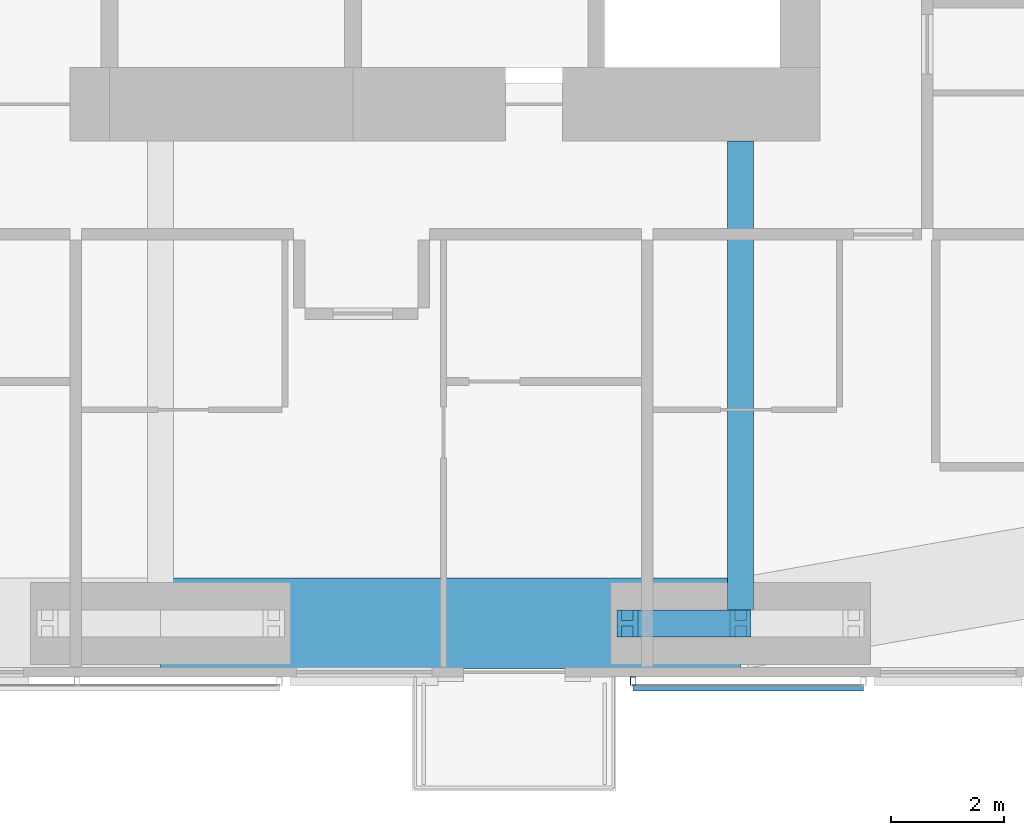
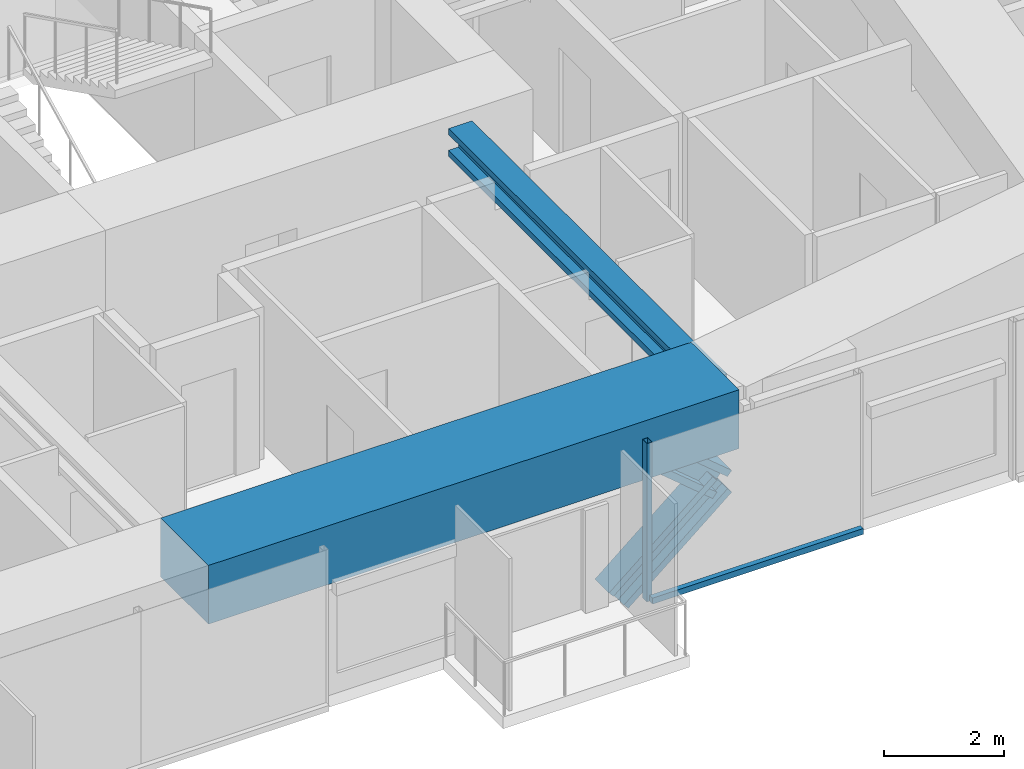
# One storey, part 4 of 22: 4 members, 2 beams, 1 element without a shape of its own.
"""IFC4 building model written with IfcOpenShell, lengths in metres."""

import ifcopenshell
import ifcopenshell.guid

model = None  # the IFC model being written
_history = None  # IfcOwnerHistory: only IFC2X3 demands one
_inside = {}  # id of a spatial element -> (the spatial element, [elements in it])
_under = {}  # id of a project, library or spatial element -> (it, [spatial elements below it])
_declared = {}  # id of a project -> (the project, [libraries it declares])
_typed = {}  # id of a type object -> (the type object, [elements of that type])
_made_of = {}  # id of a material, layer set ... -> (it, [elements and type objects made of it])


def new_model(schema):
    """Start an empty IFC model of exactly this schema.

    Asked for "IFC4X3", IfcOpenShell would pick the latest addendum, in which some entities
    have other attributes; the version numbers below select the first issue.
    IFC2X3 requires an IfcOwnerHistory on every rooted entity: one is made here for all.
    """
    global model, _history
    if schema == "IFC4X3":
        model = ifcopenshell.file(schema_version=(4, 3, 0, 0))
    else:
        model = ifcopenshell.file(schema=schema)
    _inside.clear()
    _under.clear()
    _declared.clear()
    _typed.clear()
    _made_of.clear()
    _history = None
    if model.schema == "IFC2X3":
        org = make("IfcOrganization", Name="unknown")
        user = make(
            "IfcPersonAndOrganization",
            ThePerson=make("IfcPerson", FamilyName="unknown"),
            TheOrganization=org,
        )
        app = make(
            "IfcApplication",
            ApplicationDeveloper=org,
            Version="unknown",
            ApplicationFullName="unknown",
            ApplicationIdentifier="unknown",
        )
        _history = make(
            "IfcOwnerHistory",
            OwningUser=user,
            OwningApplication=app,
            ChangeAction="ADDED",
            CreationDate=0,
        )
    return model


def make(cls, **values):
    """One entity of the class cls with the attributes given. An attribute that is None is left unset."""
    return model.create_entity(
        cls, **{name: value for name, value in values.items() if value is not None}
    )


def rooted(cls, **values):
    """An entity with a GlobalId (a new one), such as an element, a storey or a relation."""
    return make(cls, GlobalId=ifcopenshell.guid.new(), OwnerHistory=_history, **values)


def si_unit(unit_type, name, prefix=None):
    """IfcSIUnit, for example si_unit("LENGTHUNIT", "METRE", prefix="MILLI")."""
    return make("IfcSIUnit", UnitType=unit_type, Prefix=prefix, Name=name)


def assignment(units):
    """IfcUnitAssignment: the units of a project."""
    return None if units is None else make("IfcUnitAssignment", Units=units)


def point(xyz):
    """IfcCartesianPoint."""
    return None if xyz is None else make("IfcCartesianPoint", Coordinates=xyz)


def direction(xyz):
    """IfcDirection."""
    return None if xyz is None else make("IfcDirection", DirectionRatios=xyz)


def frame(location, z_axis=None, x_axis=None):
    """IfcAxis2Placement3D, a coordinate frame: its origin and axes. An axis left out is left unset."""
    return make(
        "IfcAxis2Placement3D",
        Location=point(location),
        Axis=direction(z_axis),
        RefDirection=direction(x_axis),
    )


def frame_2d(location, x_axis=None):
    """IfcAxis2Placement2D, a coordinate frame in the plane: its origin and x axis."""
    return make(
        "IfcAxis2Placement2D", Location=point(location), RefDirection=direction(x_axis)
    )


def origin():
    """The frame at (0, 0, 0) with its axes left unset."""
    return frame((0.0, 0.0, 0.0))


def origin_2d():
    """The frame at (0, 0) in the plane with its x axis left unset."""
    return frame_2d((0.0, 0.0))


def place(relative_to, where):
    """IfcLocalPlacement: puts the frame where relative to a parent placement (None: the world)."""
    return make(
        "IfcLocalPlacement", PlacementRelTo=relative_to, RelativePlacement=where
    )


def context(
    kind, dimensions, precision=None, world=None, true_north=None, identifier=None
):
    """IfcGeometricRepresentationContext, for example the 3D "Model" context."""
    return make(
        "IfcGeometricRepresentationContext",
        ContextIdentifier=identifier,
        ContextType=kind,
        CoordinateSpaceDimension=dimensions,
        Precision=precision,
        WorldCoordinateSystem=world,
        TrueNorth=true_north,
    )


def subcontext(parent, identifier, kind, view, scale=None):
    """IfcGeometricRepresentationSubContext, for example "Body" below "Model"."""
    return make(
        "IfcGeometricRepresentationSubContext",
        ContextIdentifier=identifier,
        ContextType=kind,
        ParentContext=parent,
        TargetScale=scale,
        TargetView=view,
    )


def project(units=None, contexts=None):
    """IfcProject with its units and contexts."""
    return rooted(
        "IfcProject",
        Name="project",
        RepresentationContexts=contexts,
        UnitsInContext=assignment(units),
    )


def spatial(cls, under=None, at=None, **own):
    """A site, building, storey or space (cls), placed at a placement, below another one or the project."""
    s = rooted(cls, ObjectPlacement=at, **own)
    if under is not None:
        _under.setdefault(under.id(), (under, []))[1].append(s)
    return s


def profile(cls, at=None, kind="AREA", **sizes):
    """A parametric profile (cls). Its sizes go by their IFC names, for example OverallWidth=200.0."""
    return make(cls, ProfileType=kind, Position=at, **sizes)


def rectangle(**sizes):
    """IfcRectangleProfileDef."""
    return profile("IfcRectangleProfileDef", **sizes)


def hollow_rectangle(**sizes):
    """IfcRectangleHollowProfileDef."""
    return profile("IfcRectangleHollowProfileDef", **sizes)


def i_section(**sizes):
    """IfcIShapeProfileDef."""
    return profile("IfcIShapeProfileDef", **sizes)


def extrude(swept, where, along, depth):
    """IfcExtrudedAreaSolid: the profile swept, set in the frame where, extruded along a direction by depth."""
    return make(
        "IfcExtrudedAreaSolid",
        SweptArea=swept,
        Position=where,
        ExtrudedDirection=direction(along),
        Depth=depth,
    )


def shape(context_of_items, identifier, shape_type, items):
    """IfcShapeRepresentation: the items that make up one representation, for example the "Body"."""
    return make(
        "IfcShapeRepresentation",
        ContextOfItems=context_of_items,
        RepresentationIdentifier=identifier,
        RepresentationType=shape_type,
        Items=items,
    )


def material(Name=None, Category=None):
    """IfcMaterial."""
    return make("IfcMaterial", Name=Name, Category=Category)


def material_profile(
    of_material, cross_section, Name=None, Category=None, Priority=None
):
    """IfcMaterialProfile: a cross section and its material."""
    return make(
        "IfcMaterialProfile",
        Name=Name,
        Material=of_material,
        Profile=cross_section,
        Priority=Priority,
        Category=Category,
    )


def profile_set(profiles, Name=None, composite=None):
    """IfcMaterialProfileSet."""
    return make(
        "IfcMaterialProfileSet",
        Name=Name,
        MaterialProfiles=profiles,
        CompositeProfile=composite,
    )


def made_of(thing, what):
    """Note that an element or type object is made of a material, layer set ...; save() writes the relation."""
    if what is not None:
        _made_of.setdefault(what.id(), (what, []))[1].append(thing)
    return thing


def type_object(cls, material=None, **own):
    """A type object (cls), such as IfcWallType, which elements share."""
    return made_of(rooted(cls, **own), material)


def element(
    cls,
    number,
    at=None,
    inside=None,
    cuts=None,
    type_object=None,
    material=None,
    context=None,
    identifier="Body",
    shape_type=None,
    held_by="IfcProductDefinitionShape",
    body=None,
    shapes=None,
    **own,
):
    """One element of the class cls, such as IfcWall. Its Tag is "e" and its number.

    at: its placement. inside: the storey or other place that contains it. cuts: it is an
    opening in that element (IfcRelVoidsElement). A single representation is given by context,
    identifier, shape_type and body (its items); several are given by shapes. held_by: the class
    of the entity that holds the representations. save() writes the other relations.
    """
    e = rooted(cls, Tag="e%d" % number, ObjectPlacement=at, **own)
    if body is not None:
        shapes = [shape(context, identifier, shape_type, body)]
    if shapes is not None:
        e.Representation = make(held_by, Representations=shapes)
    if inside is not None:
        _inside.setdefault(inside.id(), (inside, []))[1].append(e)
    if cuts is not None:
        rooted(
            "IfcRelVoidsElement", RelatingBuildingElement=cuts, RelatedOpeningElement=e
        )
    if type_object is not None:
        _typed.setdefault(type_object.id(), (type_object, []))[1].append(e)
    return made_of(e, material)


def aggregate(whole, parts):
    """IfcRelAggregates: a whole, such as a stair, and the parts it consists of."""
    return rooted("IfcRelAggregates", RelatingObject=whole, RelatedObjects=parts)


def save(model, path):
    """Write the relations noted so far, then the file.

    IfcRelAggregates (storeys below a building ...), IfcRelContainedInSpatialStructure (elements
    in a storey), IfcRelDefinesByType, IfcRelAssociatesMaterial and IfcRelDeclares: one each for
    every whole, place, type object, material and project.
    """
    for whole, parts in _under.values():
        aggregate(whole, parts)
    for where, things in _inside.values():
        rooted(
            "IfcRelContainedInSpatialStructure",
            RelatedElements=things,
            RelatingStructure=where,
        )
    for kind, things in _typed.values():
        rooted("IfcRelDefinesByType", RelatedObjects=things, RelatingType=kind)
    for what, things in _made_of.values():
        rooted("IfcRelAssociatesMaterial", RelatedObjects=things, RelatingMaterial=what)
    for by, libraries in _declared.values():
        rooted("IfcRelDeclares", RelatingContext=by, RelatedDefinitions=libraries)
    model.write(path)


model = new_model("IFC4")

# Units and contexts
model_context = context("Model", 3, precision=1e-05, world=origin(), true_north=direction((0.0, 1.0)))
body_context = subcontext(model_context, "Body", "Model", "MODEL_VIEW")
ifc_project = project(units=[si_unit("LENGTHUNIT", "METRE"), si_unit("AREAUNIT", "SQUARE_METRE"), si_unit("VOLUMEUNIT", "CUBIC_METRE"), si_unit("PLANEANGLEUNIT", "RADIAN"), si_unit("MASSUNIT", "GRAM", prefix="KILO")], contexts=[model_context])

# Site, building, storey
site_placement = place(None, origin())
site = spatial("IfcSite", under=ifc_project, at=site_placement, CompositionType="ELEMENT")
building_placement = place(site_placement, origin())
building = spatial("IfcBuilding", under=site, at=building_placement, Name="Jalousie Tower", CompositionType="ELEMENT")
storey_placement = place(building_placement, frame((0.0, 0.0, 161.050048828125)))
storey = spatial("IfcBuildingStorey", under=building, at=storey_placement, Name="L43", CompositionType="ELEMENT", Elevation=161.050048828125)

# Beam
ifc_material_1 = material(Name="Steel ASTM A992 Grade 50", Category="steel")
ifc_material_profile_1 = material_profile(ifc_material_1, i_section(OverallWidth=0.45458984375, OverallDepth=0.569091796875, WebThickness=0.077880859375, FlangeThickness=0.124755859375, at=origin_2d()), Name="W14X730")
ifc_profile_set_1 = profile_set([ifc_material_profile_1], Name="Steel ASTM A992 Grade 50")
beam_type_1 = type_object("IfcBeamType", Name="LEAN COLLECTOR W14X730", PredefinedType="BEAM", material=ifc_profile_set_1)
beam_1_placement = place(storey_placement, frame((42.75, 0.949951171875, 2.825439453125), z_axis=(0.0, 1.0, 0.0), x_axis=(-1.0, 0.0, 0.0)))
element("IfcBeam", 1, at=beam_1_placement, inside=storey, type_object=beam_type_1, Name="Lean collector under L44", PredefinedType="BEAM", context=body_context, shape_type="SweptSolid", body=[
    extrude(i_section(OverallWidth=0.45458984375, OverallDepth=0.569091796875, WebThickness=0.077880859375, FlangeThickness=0.124755859375, at=origin_2d()), origin(), (0.0, 0.0, 1.0), 8.525146484375),
])

# Members
ifc_material_2 = material(Name="Steel ASTM A992 Grade 50", Category="steel")
ifc_material_profile_2 = material_profile(ifc_material_2, i_section(OverallWidth=0.472412109375, OverallDepth=0.5791015625, WebThickness=0.094970703125, FlangeThickness=0.1298828125, at=origin_2d()), Name="W14X808")
ifc_profile_set_2 = profile_set([ifc_material_profile_2], Name="Steel ASTM A992 Grade 50")
member_type_1 = type_object("IfcMemberType", Name="PERIMETER BRACE W14X808", PredefinedType="BRACE", material=ifc_profile_set_2)
for number, where, z_axis, x_axis, name in (
    (2, (40.75, 0.949951171875, -0.60009765625), (0.766638753323, 0.0, 0.642078672674), (0.0, 1.0, 0.0), "Perimeter brace 04 L43 part 1"),
    (3, (42.75, 0.949951171875, 1.074951171875), (-0.766638753323, 0.0, 0.642078672674), (0.0, -1.0, 0.0), "Perimeter brace 04 L43 part 4"),
):
    element("IfcMember", number, at=place(storey_placement, frame(where, z_axis=z_axis, x_axis=x_axis)), inside=storey, type_object=member_type_1, Name=name, PredefinedType="BRACE", context=body_context, shape_type="SweptSolid", body=[
        extrude(i_section(OverallWidth=0.472412109375, OverallDepth=0.5791015625, WebThickness=0.094970703125, FlangeThickness=0.1298828125, at=origin_2d()), origin(), (0.0, 0.0, 1.0), 2.60888671875),
    ])

# Beam
ifc_material_3 = material(Name="Concrete f'c 40 MPa", Category="concrete")
ifc_material_profile_3 = material_profile(ifc_material_3, rectangle(XDim=1.60009765625, YDim=1.199951171875, at=origin_2d()), Name="RC 1600x1200")
ifc_profile_set_3 = profile_set([ifc_material_profile_3], Name="Concrete f'c 40 MPa")
beam_type_2 = type_object("IfcBeamType", Name="RC BEAM 1600x1200", PredefinedType="BEAM", material=ifc_profile_set_3)
beam_2_placement = place(storey_placement, frame((32.5, 0.949951171875, 2.75), z_axis=(1.0, 0.0, 0.0), x_axis=(0.0, 1.0, 0.0)))
element("IfcBeam", 4, at=beam_2_placement, inside=storey, type_object=beam_type_2, Name="Edge band beam 03-04 under L44", PredefinedType="BEAM", context=body_context, shape_type="SweptSolid", body=[
    extrude(rectangle(XDim=1.60009765625, YDim=1.199951171875, at=origin_2d()), origin(), (0.0, 0.0, 1.0), 10.25),
])

# Curtain wall, members
ifc_material_4 = material(Name="Perforated aluminium sheet", Category="aluminium")
curtain_wall_type = type_object("IfcCurtainWallType", Name="SOLAR SCREEN SS-1", PredefinedType="USERDEFINED", material=ifc_material_4)
curtain_wall_placement = place(storey_placement, origin())
curtain_wall = element("IfcCurtainWall", 5, at=curtain_wall_placement, inside=storey, type_object=curtain_wall_type, Name="Solar screen L43", ObjectType="SOLAR SCREEN SS-1", PredefinedType="USERDEFINED")
ifc_material_5 = material(Name="Steel ASTM A500 Grade C", Category="steel")
ifc_material_profile_4 = material_profile(ifc_material_5, hollow_rectangle(XDim=0.1015625, YDim=0.15234375, WallThickness=0.00634765625, at=origin_2d()), Name="HSS6X4X1/4")
ifc_profile_set_4 = profile_set([ifc_material_profile_4], Name="Steel ASTM A500 Grade C")
member_type_2 = type_object("IfcMemberType", Name="SOLAR SCREEN SS-1 MULLION", PredefinedType="MULLION", material=ifc_profile_set_4)
member_1_placement = place(storey_placement, frame((40.85009765625, -0.0712890625, -0.1201171875), z_axis=(0.0, 0.0, 1.0), x_axis=(1.0, 0.0, 0.0)))
member_1 = element("IfcMember", 6, at=member_1_placement, type_object=member_type_2, Name="SS1 post 1", PredefinedType="MULLION", context=body_context, shape_type="SweptSolid", body=[
    extrude(hollow_rectangle(XDim=0.1015625, YDim=0.15234375, WallThickness=0.00634765625, at=origin_2d()), origin(), (0.0, 0.0, 1.0), 3.22998046875),
])
ifc_material_6 = material(Name="Extruded aluminium screen rail", Category="aluminium")
ifc_material_profile_5 = material_profile(ifc_material_6, rectangle(XDim=0.1015625, YDim=0.1201171875, at=origin_2d()), Name="RAIL 102x120")
ifc_profile_set_5 = profile_set([ifc_material_profile_5], Name="Extruded aluminium screen rail")
member_type_3 = type_object("IfcMemberType", Name="SOLAR SCREEN SS-1 TRANSOM", PredefinedType="USERDEFINED", material=ifc_profile_set_5)
member_2_placement = place(storey_placement, frame((40.85009765625, -0.1982421875, -0.06005859375), z_axis=(1.0, 0.0, 0.0), x_axis=(0.0, 1.0, 0.0)))
member_2 = element("IfcMember", 7, at=member_2_placement, type_object=member_type_3, Name="SS1 rail", ObjectType="TRANSOM", PredefinedType="USERDEFINED", context=body_context, shape_type="SweptSolid", body=[
    extrude(rectangle(XDim=0.1015625, YDim=0.1201171875, at=origin_2d()), origin(), (0.0, 0.0, 1.0), 4.071533203125),
])
aggregate(curtain_wall, [member_1, member_2])

save(model, "model.ifc")
